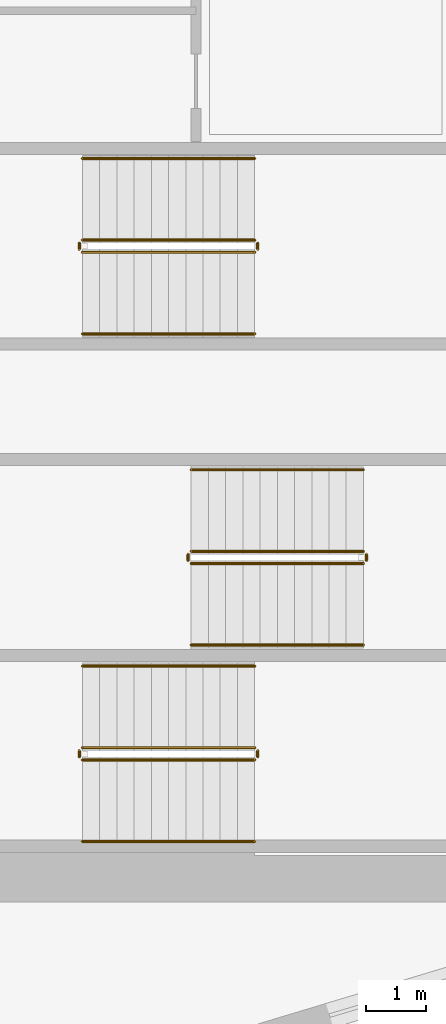
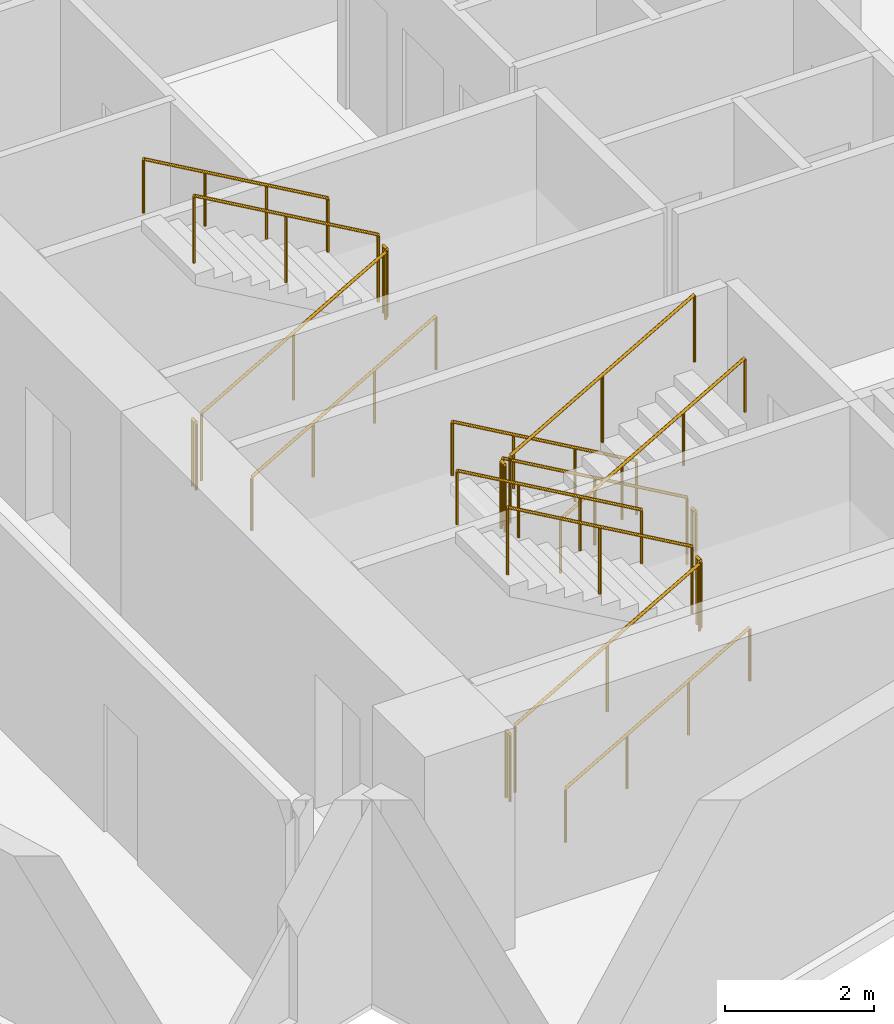
# One storey, part 15 of 16: 18 railings.
"""IFC4 building model written with IfcOpenShell, lengths in metres."""

from ifc_helpers import new_model, si_unit, direction, frame, origin, origin_2d, place, context, subcontext, project, spatial, circle, extrude, material, type_object, element, save


model = new_model("IFC4")

# Units and contexts
model_context = context("Model", 3, precision=1e-05, world=origin(), true_north=direction((0.0, 1.0)))
body_context = subcontext(model_context, "Body", "Model", "MODEL_VIEW")
ifc_project = project(units=[si_unit("LENGTHUNIT", "METRE"), si_unit("AREAUNIT", "SQUARE_METRE"), si_unit("VOLUMEUNIT", "CUBIC_METRE"), si_unit("PLANEANGLEUNIT", "RADIAN"), si_unit("MASSUNIT", "GRAM", prefix="KILO")], contexts=[model_context])

# Site, building, storey
site_placement = place(None, origin())
site = spatial("IfcSite", under=ifc_project, at=site_placement, CompositionType="ELEMENT")
building_placement = place(site_placement, origin())
building = spatial("IfcBuilding", under=site, at=building_placement, Name="Narakoshi Arena Tower", CompositionType="ELEMENT")
storey_placement = place(building_placement, frame((0.0, 0.0, 153.89990234375)))
storey = spatial("IfcBuildingStorey", under=building, at=storey_placement, Name="L41", CompositionType="ELEMENT", Elevation=153.89990234375)

# Railings
ifc_material_1 = material(Name="Clear low-iron laminated structural glass", Category="glass")
railing_type_1 = type_object("IfcRailingType", Name="RL-BAL-1100", PredefinedType="BALUSTRADE", material=ifc_material_1)
railing_1_placement = place(storey_placement, frame((74.39990234375, 36.949951171875, 0.163818359375)))
element("IfcRailing", 1, at=railing_1_placement, inside=storey, type_object=railing_type_1, Name="L41 ST1 stair guard 1", PredefinedType="BALUSTRADE", context=body_context, shape_type="SweptSolid", body=[
    extrude(circle(Radius=0.02392578125, at=origin_2d()), frame((0.0, 0.0, 1.09619140625), z_axis=(0.867244780686, 0.0, 0.497882004468), x_axis=(0.0, 1.0, 0.0)), (0.0, 0.0, 1.0), 3.286376953125),
    extrude(circle(Radius=0.02099609375, at=origin_2d()), origin(), (0.0, 0.0, 1.0), 1.072021484375),
    extrude(circle(Radius=0.02099609375, at=origin_2d()), frame((1.425048828125, 0.0, 0.818115234375)), (0.0, 0.0, 1.0), 1.072021484375),
    extrude(circle(Radius=0.02099609375, at=origin_2d()), frame((2.85009765625, 0.0, 1.63623046875)), (0.0, 0.0, 1.0), 1.072021484375),
])
railing_2_placement = place(storey_placement, frame((77.300048828125, 37.0, 1.800048828125)))
element("IfcRailing", 2, at=railing_2_placement, inside=storey, type_object=railing_type_1, Name="L41 ST1 stair guard 2", PredefinedType="BALUSTRADE", context=body_context, shape_type="SweptSolid", body=[
    extrude(circle(Radius=0.02392578125, at=origin_2d()), frame((0.0, 0.0, 1.09619140625), z_axis=(0.0, 1.0, 0.0), x_axis=(-1.0, 0.0, 0.0)), (0.0, 0.0, 1.0), 0.10009765625),
    extrude(circle(Radius=0.02099609375, at=origin_2d()), origin(), (0.0, 0.0, 1.0), 1.072021484375),
    extrude(circle(Radius=0.02099609375, at=origin_2d()), frame((0.0, 0.10009765625, 0.0)), (0.0, 0.0, 1.0), 1.072021484375),
])
railing_3_placement = place(storey_placement, frame((77.25, 37.14990234375, 1.963623046875)))
element("IfcRailing", 3, at=railing_3_placement, inside=storey, type_object=railing_type_1, Name="L41 ST1 stair guard 3", PredefinedType="BALUSTRADE", context=body_context, shape_type="SweptSolid", body=[
    extrude(circle(Radius=0.02392578125, at=origin_2d()), frame((0.0, 0.0, 1.09619140625), z_axis=(-0.86721270334, 0.0, 0.497937874806), x_axis=(0.0, -1.0, 0.0)), (0.0, 0.0, 1.0), 3.28662109375),
    extrude(circle(Radius=0.02099609375, at=origin_2d()), origin(), (0.0, 0.0, 1.0), 1.072021484375),
    extrude(circle(Radius=0.02099609375, at=origin_2d()), frame((-1.425048828125, 0.0, 0.818359375)), (0.0, 0.0, 1.0), 1.072021484375),
    extrude(circle(Radius=0.02099609375, at=origin_2d()), frame((-2.85009765625, 0.0, 1.636474609375)), (0.0, 0.0, 1.0), 1.072021484375),
])
railing_4_placement = place(storey_placement, frame((74.35009765625, 37.0, 0.0)))
element("IfcRailing", 4, at=railing_4_placement, inside=storey, type_object=railing_type_1, Name="L41 ST1 stair guard 4", PredefinedType="BALUSTRADE", context=body_context, shape_type="SweptSolid", body=[
    extrude(circle(Radius=0.02392578125, at=origin_2d()), frame((0.0, 0.0, 1.09619140625), z_axis=(0.0, 1.0, 0.0), x_axis=(-1.0, 0.0, 0.0)), (0.0, 0.0, 1.0), 0.10009765625),
    extrude(circle(Radius=0.02099609375, at=origin_2d()), origin(), (0.0, 0.0, 1.0), 1.072021484375),
    extrude(circle(Radius=0.02099609375, at=origin_2d()), frame((0.0, 0.10009765625, 0.0)), (0.0, 0.0, 1.0), 1.072021484375),
])
railing_5_placement = place(storey_placement, frame((79.050048828125, 40.39990234375, 0.163818359375)))
element("IfcRailing", 5, at=railing_5_placement, inside=storey, type_object=railing_type_1, Name="L41 ST2 stair guard 1", PredefinedType="BALUSTRADE", context=body_context, shape_type="SweptSolid", body=[
    extrude(circle(Radius=0.02392578125, at=origin_2d()), frame((0.0, 0.0, 1.09619140625), z_axis=(-0.867244780686, 0.0, 0.497882004468), x_axis=(0.0, -1.0, 0.0)), (0.0, 0.0, 1.0), 3.286376953125),
    extrude(circle(Radius=0.02099609375, at=origin_2d()), origin(), (0.0, 0.0, 1.0), 1.072021484375),
    extrude(circle(Radius=0.02099609375, at=origin_2d()), frame((-1.425048828125, 0.0, 0.818115234375)), (0.0, 0.0, 1.0), 1.072021484375),
    extrude(circle(Radius=0.02099609375, at=origin_2d()), frame((-2.85009765625, 0.0, 1.63623046875)), (0.0, 0.0, 1.0), 1.072021484375),
])
railing_6_placement = place(storey_placement, frame((76.14990234375, 40.35009765625, 1.800048828125)))
element("IfcRailing", 6, at=railing_6_placement, inside=storey, type_object=railing_type_1, Name="L41 ST2 stair guard 2", PredefinedType="BALUSTRADE", context=body_context, shape_type="SweptSolid", body=[
    extrude(circle(Radius=0.02392578125, at=origin_2d()), frame((0.0, 0.0, 1.09619140625), z_axis=(0.0, -1.0, 0.0), x_axis=(1.0, 0.0, 0.0)), (0.0, 0.0, 1.0), 0.10009765625),
    extrude(circle(Radius=0.02099609375, at=origin_2d()), origin(), (0.0, 0.0, 1.0), 1.072021484375),
    extrude(circle(Radius=0.02099609375, at=origin_2d()), frame((0.0, -0.10009765625, 0.0)), (0.0, 0.0, 1.0), 1.072021484375),
])
railing_7_placement = place(storey_placement, frame((76.199951171875, 40.199951171875, 1.963623046875)))
element("IfcRailing", 7, at=railing_7_placement, inside=storey, type_object=railing_type_1, Name="L41 ST2 stair guard 3", PredefinedType="BALUSTRADE", context=body_context, shape_type="SweptSolid", body=[
    extrude(circle(Radius=0.02392578125, at=origin_2d()), frame((0.0, 0.0, 1.09619140625), z_axis=(0.86721270334, 0.0, 0.497937874806), x_axis=(0.0, 1.0, 0.0)), (0.0, 0.0, 1.0), 3.28662109375),
    extrude(circle(Radius=0.02099609375, at=origin_2d()), origin(), (0.0, 0.0, 1.0), 1.072021484375),
    extrude(circle(Radius=0.02099609375, at=origin_2d()), frame((1.425048828125, 0.0, 0.818359375)), (0.0, 0.0, 1.0), 1.072021484375),
    extrude(circle(Radius=0.02099609375, at=origin_2d()), frame((2.85009765625, 0.0, 1.636474609375)), (0.0, 0.0, 1.0), 1.072021484375),
])
railing_8_placement = place(storey_placement, frame((79.10009765625, 40.35009765625, 0.0)))
element("IfcRailing", 8, at=railing_8_placement, inside=storey, type_object=railing_type_1, Name="L41 ST2 stair guard 4", PredefinedType="BALUSTRADE", context=body_context, shape_type="SweptSolid", body=[
    extrude(circle(Radius=0.02392578125, at=origin_2d()), frame((0.0, 0.0, 1.09619140625), z_axis=(0.0, -1.0, 0.0), x_axis=(1.0, 0.0, 0.0)), (0.0, 0.0, 1.0), 0.10009765625),
    extrude(circle(Radius=0.02099609375, at=origin_2d()), origin(), (0.0, 0.0, 1.0), 1.072021484375),
    extrude(circle(Radius=0.02099609375, at=origin_2d()), frame((0.0, -0.10009765625, 0.0)), (0.0, 0.0, 1.0), 1.072021484375),
])
railing_9_placement = place(storey_placement, frame((74.39990234375, 45.35009765625, 0.163818359375)))
element("IfcRailing", 9, at=railing_9_placement, inside=storey, type_object=railing_type_1, Name="L41 ST3 stair guard 1", PredefinedType="BALUSTRADE", context=body_context, shape_type="SweptSolid", body=[
    extrude(circle(Radius=0.02392578125, at=origin_2d()), frame((0.0, 0.0, 1.09619140625), z_axis=(0.867244780686, 0.0, 0.497882004468), x_axis=(0.0, 1.0, 0.0)), (0.0, 0.0, 1.0), 3.286376953125),
    extrude(circle(Radius=0.02099609375, at=origin_2d()), origin(), (0.0, 0.0, 1.0), 1.072021484375),
    extrude(circle(Radius=0.02099609375, at=origin_2d()), frame((1.425048828125, 0.0, 0.818115234375)), (0.0, 0.0, 1.0), 1.072021484375),
    extrude(circle(Radius=0.02099609375, at=origin_2d()), frame((2.85009765625, 0.0, 1.63623046875)), (0.0, 0.0, 1.0), 1.072021484375),
])
railing_10_placement = place(storey_placement, frame((77.300048828125, 45.39990234375, 1.800048828125)))
element("IfcRailing", 10, at=railing_10_placement, inside=storey, type_object=railing_type_1, Name="L41 ST3 stair guard 2", PredefinedType="BALUSTRADE", context=body_context, shape_type="SweptSolid", body=[
    extrude(circle(Radius=0.02392578125, at=origin_2d()), frame((0.0, 0.0, 1.09619140625), z_axis=(0.0, 1.0, 0.0), x_axis=(-1.0, 0.0, 0.0)), (0.0, 0.0, 1.0), 0.10009765625),
    extrude(circle(Radius=0.02099609375, at=origin_2d()), origin(), (0.0, 0.0, 1.0), 1.072021484375),
    extrude(circle(Radius=0.02099609375, at=origin_2d()), frame((0.0, 0.10009765625, 0.0)), (0.0, 0.0, 1.0), 1.072021484375),
])
railing_11_placement = place(storey_placement, frame((77.25, 45.550048828125, 1.963623046875)))
element("IfcRailing", 11, at=railing_11_placement, inside=storey, type_object=railing_type_1, Name="L41 ST3 stair guard 3", PredefinedType="BALUSTRADE", context=body_context, shape_type="SweptSolid", body=[
    extrude(circle(Radius=0.02392578125, at=origin_2d()), frame((0.0, 0.0, 1.09619140625), z_axis=(-0.86721270334, 0.0, 0.497937874806), x_axis=(0.0, -1.0, 0.0)), (0.0, 0.0, 1.0), 3.28662109375),
    extrude(circle(Radius=0.02099609375, at=origin_2d()), origin(), (0.0, 0.0, 1.0), 1.072021484375),
    extrude(circle(Radius=0.02099609375, at=origin_2d()), frame((-1.425048828125, 0.0, 0.818359375)), (0.0, 0.0, 1.0), 1.072021484375),
    extrude(circle(Radius=0.02099609375, at=origin_2d()), frame((-2.85009765625, 0.0, 1.636474609375)), (0.0, 0.0, 1.0), 1.072021484375),
])
railing_12_placement = place(storey_placement, frame((74.35009765625, 45.39990234375, 0.0)))
element("IfcRailing", 12, at=railing_12_placement, inside=storey, type_object=railing_type_1, Name="L41 ST3 stair guard 4", PredefinedType="BALUSTRADE", context=body_context, shape_type="SweptSolid", body=[
    extrude(circle(Radius=0.02392578125, at=origin_2d()), frame((0.0, 0.0, 1.09619140625), z_axis=(0.0, 1.0, 0.0), x_axis=(-1.0, 0.0, 0.0)), (0.0, 0.0, 1.0), 0.10009765625),
    extrude(circle(Radius=0.02099609375, at=origin_2d()), origin(), (0.0, 0.0, 1.0), 1.072021484375),
    extrude(circle(Radius=0.02099609375, at=origin_2d()), frame((0.0, 0.10009765625, 0.0)), (0.0, 0.0, 1.0), 1.072021484375),
])
ifc_material_2 = material(Name="Brushed bronze stainless steel", Category="steel")
railing_type_2 = type_object("IfcRailingType", Name="RL-HND-900", PredefinedType="HANDRAIL", material=ifc_material_2)
railing_13_placement = place(storey_placement, frame((74.39990234375, 35.60009765625, 0.163818359375)))
element("IfcRailing", 13, at=railing_13_placement, inside=storey, type_object=railing_type_2, Name="L41 ST1 stair handrail 1", PredefinedType="HANDRAIL", context=body_context, shape_type="SweptSolid", body=[
    extrude(circle(Radius=0.02392578125, at=origin_2d()), frame((0.0, 0.0, 0.8759765625), z_axis=(0.867244780686, 0.0, 0.497882004468), x_axis=(0.0, 1.0, 0.0)), (0.0, 0.0, 1.0), 3.286376953125),
    extrude(circle(Radius=0.02099609375, at=origin_2d()), origin(), (0.0, 0.0, 1.0), 0.851806640625),
    extrude(circle(Radius=0.02099609375, at=origin_2d()), frame((0.949951171875, 0.0, 0.54541015625)), (0.0, 0.0, 1.0), 0.851806640625),
    extrude(circle(Radius=0.02099609375, at=origin_2d()), frame((1.900146484375, 0.0, 1.0908203125)), (0.0, 0.0, 1.0), 0.851806640625),
    extrude(circle(Radius=0.02099609375, at=origin_2d()), frame((2.85009765625, 0.0, 1.63623046875)), (0.0, 0.0, 1.0), 0.851806640625),
])
railing_14_placement = place(storey_placement, frame((77.25, 38.5, 1.963623046875)))
element("IfcRailing", 14, at=railing_14_placement, inside=storey, type_object=railing_type_2, Name="L41 ST1 stair handrail 2", PredefinedType="HANDRAIL", context=body_context, shape_type="SweptSolid", body=[
    extrude(circle(Radius=0.02392578125, at=origin_2d()), frame((0.0, 0.0, 0.8759765625), z_axis=(-0.86721270334, 0.0, 0.497937874806), x_axis=(0.0, -1.0, 0.0)), (0.0, 0.0, 1.0), 3.28662109375),
    extrude(circle(Radius=0.02099609375, at=origin_2d()), origin(), (0.0, 0.0, 1.0), 0.851806640625),
    extrude(circle(Radius=0.02099609375, at=origin_2d()), frame((-0.949951171875, 0.0, 0.54541015625)), (0.0, 0.0, 1.0), 0.851806640625),
    extrude(circle(Radius=0.02099609375, at=origin_2d()), frame((-1.900146484375, 0.0, 1.091064453125)), (0.0, 0.0, 1.0), 0.851806640625),
    extrude(circle(Radius=0.02099609375, at=origin_2d()), frame((-2.85009765625, 0.0, 1.636474609375)), (0.0, 0.0, 1.0), 0.851806640625),
])
railing_15_placement = place(storey_placement, frame((79.050048828125, 41.75, 0.163818359375)))
element("IfcRailing", 15, at=railing_15_placement, inside=storey, type_object=railing_type_2, Name="L41 ST2 stair handrail 1", PredefinedType="HANDRAIL", context=body_context, shape_type="SweptSolid", body=[
    extrude(circle(Radius=0.02392578125, at=origin_2d()), frame((0.0, 0.0, 0.8759765625), z_axis=(-0.867244780686, 0.0, 0.497882004468), x_axis=(0.0, -1.0, 0.0)), (0.0, 0.0, 1.0), 3.286376953125),
    extrude(circle(Radius=0.02099609375, at=origin_2d()), origin(), (0.0, 0.0, 1.0), 0.851806640625),
    extrude(circle(Radius=0.02099609375, at=origin_2d()), frame((-0.949951171875, 0.0, 0.54541015625)), (0.0, 0.0, 1.0), 0.851806640625),
    extrude(circle(Radius=0.02099609375, at=origin_2d()), frame((-1.900146484375, 0.0, 1.0908203125)), (0.0, 0.0, 1.0), 0.851806640625),
    extrude(circle(Radius=0.02099609375, at=origin_2d()), frame((-2.85009765625, 0.0, 1.63623046875)), (0.0, 0.0, 1.0), 0.851806640625),
])
railing_16_placement = place(storey_placement, frame((76.199951171875, 38.85009765625, 1.963623046875)))
element("IfcRailing", 16, at=railing_16_placement, inside=storey, type_object=railing_type_2, Name="L41 ST2 stair handrail 2", PredefinedType="HANDRAIL", context=body_context, shape_type="SweptSolid", body=[
    extrude(circle(Radius=0.02392578125, at=origin_2d()), frame((0.0, 0.0, 0.8759765625), z_axis=(0.86721270334, 0.0, 0.497937874806), x_axis=(0.0, 1.0, 0.0)), (0.0, 0.0, 1.0), 3.28662109375),
    extrude(circle(Radius=0.02099609375, at=origin_2d()), origin(), (0.0, 0.0, 1.0), 0.851806640625),
    extrude(circle(Radius=0.02099609375, at=origin_2d()), frame((0.949951171875, 0.0, 0.54541015625)), (0.0, 0.0, 1.0), 0.851806640625),
    extrude(circle(Radius=0.02099609375, at=origin_2d()), frame((1.900146484375, 0.0, 1.091064453125)), (0.0, 0.0, 1.0), 0.851806640625),
    extrude(circle(Radius=0.02099609375, at=origin_2d()), frame((2.85009765625, 0.0, 1.636474609375)), (0.0, 0.0, 1.0), 0.851806640625),
])
railing_17_placement = place(storey_placement, frame((74.39990234375, 44.0, 0.163818359375)))
element("IfcRailing", 17, at=railing_17_placement, inside=storey, type_object=railing_type_2, Name="L41 ST3 stair handrail 1", PredefinedType="HANDRAIL", context=body_context, shape_type="SweptSolid", body=[
    extrude(circle(Radius=0.02392578125, at=origin_2d()), frame((0.0, 0.0, 0.8759765625), z_axis=(0.867244780686, 0.0, 0.497882004468), x_axis=(0.0, 1.0, 0.0)), (0.0, 0.0, 1.0), 3.286376953125),
    extrude(circle(Radius=0.02099609375, at=origin_2d()), origin(), (0.0, 0.0, 1.0), 0.851806640625),
    extrude(circle(Radius=0.02099609375, at=origin_2d()), frame((0.949951171875, 0.0, 0.54541015625)), (0.0, 0.0, 1.0), 0.851806640625),
    extrude(circle(Radius=0.02099609375, at=origin_2d()), frame((1.900146484375, 0.0, 1.0908203125)), (0.0, 0.0, 1.0), 0.851806640625),
    extrude(circle(Radius=0.02099609375, at=origin_2d()), frame((2.85009765625, 0.0, 1.63623046875)), (0.0, 0.0, 1.0), 0.851806640625),
])
railing_18_placement = place(storey_placement, frame((77.25, 46.89990234375, 1.963623046875)))
element("IfcRailing", 18, at=railing_18_placement, inside=storey, type_object=railing_type_2, Name="L41 ST3 stair handrail 2", PredefinedType="HANDRAIL", context=body_context, shape_type="SweptSolid", body=[
    extrude(circle(Radius=0.02392578125, at=origin_2d()), frame((0.0, 0.0, 0.8759765625), z_axis=(-0.86721270334, 0.0, 0.497937874806), x_axis=(0.0, -1.0, 0.0)), (0.0, 0.0, 1.0), 3.28662109375),
    extrude(circle(Radius=0.02099609375, at=origin_2d()), origin(), (0.0, 0.0, 1.0), 0.851806640625),
    extrude(circle(Radius=0.02099609375, at=origin_2d()), frame((-0.949951171875, 0.0, 0.54541015625)), (0.0, 0.0, 1.0), 0.851806640625),
    extrude(circle(Radius=0.02099609375, at=origin_2d()), frame((-1.900146484375, 0.0, 1.091064453125)), (0.0, 0.0, 1.0), 0.851806640625),
    extrude(circle(Radius=0.02099609375, at=origin_2d()), frame((-2.85009765625, 0.0, 1.636474609375)), (0.0, 0.0, 1.0), 0.851806640625),
])

save(model, "model.ifc")
